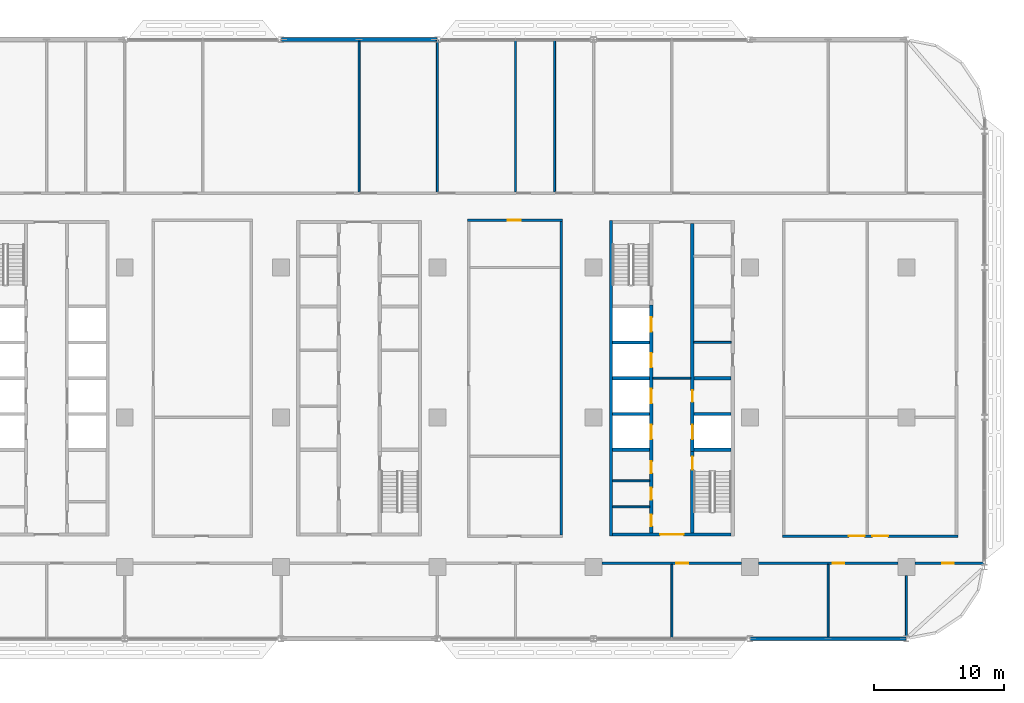
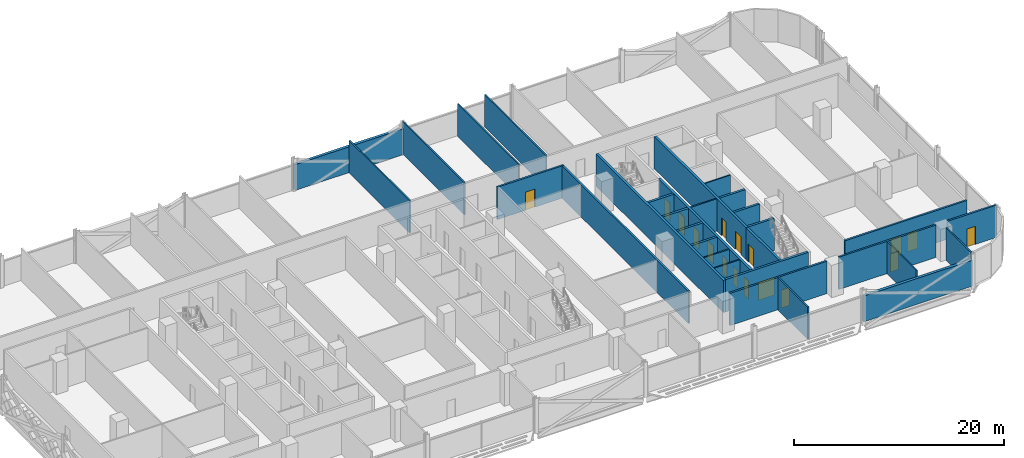
# One storey, part 17 of 29: 31 walls, 17 doors, 17 openings.
"""IFC4 building model written with IfcOpenShell, lengths in metres."""

from ifc_helpers import new_model, si_unit, direction, frame, frame_2d, origin, place, context, subcontext, project, spatial, rectangle, extrude, material, layer, layer_set, type_object, element, fill, save


model = new_model("IFC4")

# Units and contexts
model_context = context("Model", 3, precision=1e-05, world=origin(), true_north=direction((0.0, 1.0)))
body_context = subcontext(model_context, "Body", "Model", "MODEL_VIEW")
ifc_project = project(units=[si_unit("LENGTHUNIT", "METRE"), si_unit("AREAUNIT", "SQUARE_METRE"), si_unit("VOLUMEUNIT", "CUBIC_METRE"), si_unit("PLANEANGLEUNIT", "RADIAN"), si_unit("MASSUNIT", "GRAM", prefix="KILO")], contexts=[model_context])

# Site, building, storey
site_placement = place(None, origin())
site = spatial("IfcSite", under=ifc_project, at=site_placement, CompositionType="ELEMENT")
building_placement = place(site_placement, origin())
building = spatial("IfcBuilding", under=site, at=building_placement, Name="Mahtab Terrace Research Tower", CompositionType="ELEMENT")
storey_placement = place(building_placement, frame((0.0, 0.0, 126.10009765625)))
storey = spatial("IfcBuildingStorey", under=building, at=storey_placement, Name="L29", CompositionType="ELEMENT", Elevation=126.10009765625)

# Walls
ifc_material_1 = material(Name="Gypsum board partition")
ifc_layer_1 = layer(ifc_material_1, 0.14990234375)
ifc_layer_set_1 = layer_set([ifc_layer_1], Name="Core partition 150")
wall_type_1 = type_object("IfcWallType", Name="Core partition 150", PredefinedType="PARTITIONING", material=ifc_layer_set_1)
wall_1_placement = place(storey_placement, frame((22.550048828125, 3.0, 0.0), z_axis=(0.0, 0.0, 1.0), x_axis=(1.0, 0.0, 0.0)))
element("IfcWall", 1, at=wall_1_placement, inside=storey, type_object=wall_type_1, Name="Core wall C ffl", PredefinedType="PARTITIONING", context=body_context, shape_type="SweptSolid", body=[
    extrude(rectangle(XDim=2.89990234375, YDim=0.14990234375, at=frame_2d((1.449951171875, 0.0))), origin(), (0.0, 0.0, 1.0), 3.760009765625),
])
for number, where, z_axis, x_axis, name in (
    (2, (25.699951171875, 5.75, 0.0), (0.0, 0.0, 1.0), (1.0, 0.0, 0.0), "Core wall C pEL275"),
    (3, (19.449951171875, -6.875, 0.0), (0.0, 0.0, 1.0), (1.0, 0.0, 0.0), "Core wall C pWS-988"),
    (4, (19.449951171875, -4.875, 0.0), (0.0, 0.0, 1.0), (1.0, 0.0, 0.0), "Core wall C pWS-788"),
):
    element("IfcWall", number, at=place(storey_placement, frame(where, z_axis=z_axis, x_axis=x_axis)), inside=storey, type_object=wall_type_1, Name=name, PredefinedType="PARTITIONING", context=body_context, shape_type="SweptSolid", body=[
        extrude(rectangle(XDim=2.85009765625, YDim=0.14990234375, at=frame_2d((1.425048828125, 0.0))), origin(), (0.0, 0.0, 1.0), 3.760009765625),
    ])
ifc_material_2 = material(Name="Concrete C70/85", Category="concrete")
ifc_layer_2 = layer(ifc_material_2, 0.25)
ifc_layer_set_2 = layer_set([ifc_layer_2], Name="Core wall 250")
wall_type_2 = type_object("IfcWallType", Name="Core wall 250", PredefinedType="SOLIDWALL", material=ifc_layer_set_2)
wall_2_placement = place(storey_placement, frame((19.324951171875, 15.125, 0.0), z_axis=(0.0, 0.0, 1.0), x_axis=(0.0, -1.0, 0.0)))
element("IfcWall", 5, at=wall_2_placement, inside=storey, type_object=wall_type_2, Name="Core wall C outerW", PredefinedType="SOLIDWALL", context=body_context, shape_type="SweptSolid", body=[
    extrude(rectangle(XDim=24.25, YDim=0.25, at=frame_2d((12.125, 0.0))), origin(), (0.0, 0.0, 1.0), 3.760009765625),
])

# Wall, opening, door
wall_3_placement = place(storey_placement, frame((28.550048828125, -9.0, 0.0), z_axis=(0.0, 0.0, 1.0), x_axis=(-1.0, 0.0, 0.0)))
wall_3 = element("IfcWall", 6, at=wall_3_placement, inside=storey, type_object=wall_type_2, Name="Core wall C endS", PredefinedType="SOLIDWALL", context=body_context, shape_type="SweptSolid", body=[
    extrude(rectangle(XDim=9.10009765625, YDim=0.25, at=frame_2d((4.550048828125, 0.0))), origin(), (0.0, 0.0, 1.0), 3.760009765625),
])
opening_1_placement = place(wall_3_placement, frame((3.64990234375, 0.0, 0.0)))
opening_1 = element("IfcOpeningElement", 7, at=opening_1_placement, cuts=wall_3, Name="Opening C-S1", PredefinedType="OPENING", context=body_context, shape_type="SweptSolid", body=[
    extrude(rectangle(XDim=1.800048828125, YDim=2.10009765625, at=frame_2d((0.89990234375, 1.050048828125))), frame((0.0, 0.135009765625, 0.0), z_axis=(0.0, -1.0, 0.0), x_axis=(1.0, 0.0, 0.0)), (0.0, 0.0, 1.0), 0.27001953125),
])
ifc_material_3 = material(Name="Steel fire door", Category="steel")
door_type_1 = type_object("IfcDoorType", Name="Lobby double door 1800x2100 1 HR", OperationType="DOUBLE_DOOR_SINGLE_SWING", PredefinedType="DOOR", material=ifc_material_3)
door_1_placement = place(opening_1_placement, origin())
door_1 = element("IfcDoor", 8, at=door_1_placement, inside=storey, type_object=door_type_1, Name="Core entrance door C S", OperationType="DOUBLE_DOOR_SINGLE_SWING", OverallHeight=2.10009765625, OverallWidth=1.800048828125, PredefinedType="DOOR", context=body_context, shape_type="SweptSolid", body=[
    extrude(rectangle(XDim=1.800048828125, YDim=2.10009765625, at=frame_2d((0.89990234375, 1.050048828125))), frame((0.0, 0.02490234375, 0.0), z_axis=(0.0, -1.0, 0.0), x_axis=(1.0, 0.0, 0.0)), (0.0, 0.0, 1.0), 0.050048828125),
])
fill(opening_1, door_1)

# Wall, openings, doors
wall_4_placement = place(storey_placement, frame((22.425048828125, -8.875, 0.0), z_axis=(0.0, 0.0, 1.0), x_axis=(0.0, 1.0, 0.0)))
wall_4 = element("IfcWall", 9, at=wall_4_placement, inside=storey, type_object=wall_type_2, Name="Core wall C innerWSL", PredefinedType="SOLIDWALL", context=body_context, shape_type="SweptSolid", body=[
    extrude(rectangle(XDim=17.5, YDim=0.25, at=frame_2d((8.75, 0.0))), origin(), (0.0, 0.0, 1.0), 3.760009765625),
])
opening_2_placement = place(wall_4_placement, frame((7.199951171875, 0.0, 0.0)))
opening_2 = element("IfcOpeningElement", 10, at=opening_2_placement, cuts=wall_4, Name="Opening LD17-L29", PredefinedType="OPENING", context=body_context, shape_type="SweptSolid", body=[
    extrude(rectangle(XDim=1.10009765625, YDim=2.10009765625, at=frame_2d((0.550048828125, 1.050048828125))), frame((0.0, 0.135009765625, 0.0), z_axis=(0.0, -1.0, 0.0), x_axis=(1.0, 0.0, 0.0)), (0.0, 0.0, 1.0), 0.27001953125),
])
opening_3_placement = place(wall_4_placement, frame((9.949951171875, 0.0, 0.0)))
opening_3 = element("IfcOpeningElement", 11, at=opening_3_placement, cuts=wall_4, Name="Opening LD18-L29", PredefinedType="OPENING", context=body_context, shape_type="SweptSolid", body=[
    extrude(rectangle(XDim=1.10009765625, YDim=2.10009765625, at=frame_2d((0.550048828125, 1.050048828125))), frame((0.0, 0.135009765625, 0.0), z_axis=(0.0, -1.0, 0.0), x_axis=(1.0, 0.0, 0.0)), (0.0, 0.0, 1.0), 0.27001953125),
])
opening_4_placement = place(wall_4_placement, frame((12.699951171875, 0.0, 0.0)))
opening_4 = element("IfcOpeningElement", 12, at=opening_4_placement, cuts=wall_4, Name="Opening LD19-L29", PredefinedType="OPENING", context=body_context, shape_type="SweptSolid", body=[
    extrude(rectangle(XDim=1.10009765625, YDim=2.10009765625, at=frame_2d((0.550048828125, 1.050048828125))), frame((0.0, 0.135009765625, 0.0), z_axis=(0.0, -1.0, 0.0), x_axis=(1.0, 0.0, 0.0)), (0.0, 0.0, 1.0), 0.27001953125),
])
opening_5_placement = place(wall_4_placement, frame((15.449951171875, 0.0, 0.0)))
opening_5 = element("IfcOpeningElement", 13, at=opening_5_placement, cuts=wall_4, Name="Opening LD20-L29", PredefinedType="OPENING", context=body_context, shape_type="SweptSolid", body=[
    extrude(rectangle(XDim=1.10009765625, YDim=2.10009765625, at=frame_2d((0.550048828125, 1.050048828125))), frame((0.0, 0.135009765625, 0.0), z_axis=(0.0, -1.0, 0.0), x_axis=(1.0, 0.0, 0.0)), (0.0, 0.0, 1.0), 0.27001953125),
])
opening_6_placement = place(wall_4_placement, frame((0.512451171875, 0.0, 0.0)))
opening_6 = element("IfcOpeningElement", 14, at=opening_6_placement, cuts=wall_4, Name="Opening C-R4", PredefinedType="OPENING", context=body_context, shape_type="SweptSolid", body=[
    extrude(rectangle(XDim=0.89990234375, YDim=2.10009765625, at=frame_2d((0.449951171875, 1.050048828125))), frame((0.0, 0.135009765625, 0.0), z_axis=(0.0, -1.0, 0.0), x_axis=(1.0, 0.0, 0.0)), (0.0, 0.0, 1.0), 0.27001953125),
])
opening_7_placement = place(wall_4_placement, frame((2.550048828125, 0.0, 0.0)))
opening_7 = element("IfcOpeningElement", 15, at=opening_7_placement, cuts=wall_4, Name="Opening C-R5", PredefinedType="OPENING", context=body_context, shape_type="SweptSolid", body=[
    extrude(rectangle(XDim=0.89990234375, YDim=2.10009765625, at=frame_2d((0.449951171875, 1.050048828125))), frame((0.0, 0.135009765625, 0.0), z_axis=(0.0, -1.0, 0.0), x_axis=(1.0, 0.0, 0.0)), (0.0, 0.0, 1.0), 0.27001953125),
])
opening_8_placement = place(wall_4_placement, frame((4.58740234375, 0.0, 0.0)))
opening_8 = element("IfcOpeningElement", 16, at=opening_8_placement, cuts=wall_4, Name="Opening C-R6", PredefinedType="OPENING", context=body_context, shape_type="SweptSolid", body=[
    extrude(rectangle(XDim=0.89990234375, YDim=2.10009765625, at=frame_2d((0.449951171875, 1.050048828125))), frame((0.0, 0.135009765625, 0.0), z_axis=(0.0, -1.0, 0.0), x_axis=(1.0, 0.0, 0.0)), (0.0, 0.0, 1.0), 0.27001953125),
])
ifc_material_4 = material(Name="Stainless steel AISI 304", Category="steel")
door_type_2 = type_object("IfcDoorType", Name="Landing door 1100x2100", OperationType="DOUBLE_DOOR_SLIDING", PredefinedType="DOOR", material=ifc_material_4)
door_2_placement = place(opening_2_placement, origin())
door_2 = element("IfcDoor", 17, at=door_2_placement, inside=storey, type_object=door_type_2, Name="Landing door SV1 L29", OperationType="DOUBLE_DOOR_SLIDING", OverallHeight=2.10009765625, OverallWidth=1.10009765625, PredefinedType="DOOR", context=body_context, shape_type="SweptSolid", body=[
    extrude(rectangle(XDim=1.10009765625, YDim=2.10009765625, at=frame_2d((0.550048828125, 1.050048828125))), frame((0.0, 0.02490234375, 0.0), z_axis=(0.0, -1.0, 0.0), x_axis=(1.0, 0.0, 0.0)), (0.0, 0.0, 1.0), 0.050048828125),
])
fill(opening_2, door_2)
door_3_placement = place(opening_3_placement, origin())
door_3 = element("IfcDoor", 18, at=door_3_placement, inside=storey, type_object=door_type_2, Name="Landing door SV2 L29", OperationType="DOUBLE_DOOR_SLIDING", OverallHeight=2.10009765625, OverallWidth=1.10009765625, PredefinedType="DOOR", context=body_context, shape_type="SweptSolid", body=[
    extrude(rectangle(XDim=1.10009765625, YDim=2.10009765625, at=frame_2d((0.550048828125, 1.050048828125))), frame((0.0, 0.02490234375, 0.0), z_axis=(0.0, -1.0, 0.0), x_axis=(1.0, 0.0, 0.0)), (0.0, 0.0, 1.0), 0.050048828125),
])
fill(opening_3, door_3)
door_4_placement = place(opening_4_placement, origin())
door_4 = element("IfcDoor", 19, at=door_4_placement, inside=storey, type_object=door_type_2, Name="Landing door FF1 L29", OperationType="DOUBLE_DOOR_SLIDING", OverallHeight=2.10009765625, OverallWidth=1.10009765625, PredefinedType="DOOR", context=body_context, shape_type="SweptSolid", body=[
    extrude(rectangle(XDim=1.10009765625, YDim=2.10009765625, at=frame_2d((0.550048828125, 1.050048828125))), frame((0.0, 0.02490234375, 0.0), z_axis=(0.0, -1.0, 0.0), x_axis=(1.0, 0.0, 0.0)), (0.0, 0.0, 1.0), 0.050048828125),
])
fill(opening_4, door_4)
door_5_placement = place(opening_5_placement, origin())
door_5 = element("IfcDoor", 20, at=door_5_placement, inside=storey, type_object=door_type_2, Name="Landing door FF2 L29", OperationType="DOUBLE_DOOR_SLIDING", OverallHeight=2.10009765625, OverallWidth=1.10009765625, PredefinedType="DOOR", context=body_context, shape_type="SweptSolid", body=[
    extrude(rectangle(XDim=1.10009765625, YDim=2.10009765625, at=frame_2d((0.550048828125, 1.050048828125))), frame((0.0, 0.02490234375, 0.0), z_axis=(0.0, -1.0, 0.0), x_axis=(1.0, 0.0, 0.0)), (0.0, 0.0, 1.0), 0.050048828125),
])
fill(opening_5, door_5)
door_type_3 = type_object("IfcDoorType", Name="Room door 900x2100 1 HR", OperationType="NOTDEFINED", PredefinedType="DOOR", material=ifc_material_3)
door_6_placement = place(opening_6_placement, origin())
door_6 = element("IfcDoor", 21, at=door_6_placement, inside=storey, type_object=door_type_3, Name="Male WC door", OperationType="SINGLE_SWING_RIGHT", OverallHeight=2.10009765625, OverallWidth=0.89990234375, PredefinedType="DOOR", context=body_context, shape_type="SweptSolid", body=[
    extrude(rectangle(XDim=0.89990234375, YDim=2.10009765625, at=frame_2d((0.449951171875, 1.050048828125))), frame((0.0, 0.02490234375, 0.0), z_axis=(0.0, -1.0, 0.0), x_axis=(1.0, 0.0, 0.0)), (0.0, 0.0, 1.0), 0.050048828125),
])
fill(opening_6, door_6)
door_7_placement = place(opening_7_placement, origin())
door_7 = element("IfcDoor", 22, at=door_7_placement, inside=storey, type_object=door_type_3, Name="Female WC door", OperationType="SINGLE_SWING_LEFT", OverallHeight=2.10009765625, OverallWidth=0.89990234375, PredefinedType="DOOR", context=body_context, shape_type="SweptSolid", body=[
    extrude(rectangle(XDim=0.89990234375, YDim=2.10009765625, at=frame_2d((0.449951171875, 1.050048828125))), frame((0.0, 0.02490234375, 0.0), z_axis=(0.0, -1.0, 0.0), x_axis=(1.0, 0.0, 0.0)), (0.0, 0.0, 1.0), 0.050048828125),
])
fill(opening_7, door_7)
door_8_placement = place(opening_8_placement, origin())
door_8 = element("IfcDoor", 23, at=door_8_placement, inside=storey, type_object=door_type_3, Name="Accessible WC door", OperationType="SINGLE_SWING_RIGHT", OverallHeight=2.10009765625, OverallWidth=0.89990234375, PredefinedType="DOOR", context=body_context, shape_type="SweptSolid", body=[
    extrude(rectangle(XDim=0.89990234375, YDim=2.10009765625, at=frame_2d((0.449951171875, 1.050048828125))), frame((0.0, 0.02490234375, 0.0), z_axis=(0.0, -1.0, 0.0), x_axis=(1.0, 0.0, 0.0)), (0.0, 0.0, 1.0), 0.050048828125),
])
fill(opening_8, door_8)

# Wall, opening, door
wall_5_placement = place(storey_placement, frame((25.574951171875, -8.875, 0.0), z_axis=(0.0, 0.0, 1.0), x_axis=(0.0, 1.0, 0.0)))
wall_5 = element("IfcWall", 24, at=wall_5_placement, inside=storey, type_object=wall_type_2, Name="Core wall C innerES", PredefinedType="SOLIDWALL", context=body_context, shape_type="SweptSolid", body=[
    extrude(rectangle(XDim=6.25, YDim=0.25, at=frame_2d((3.125, 0.0))), origin(), (0.0, 0.0, 1.0), 3.760009765625),
])
opening_9_placement = place(wall_5_placement, frame((4.85009765625, 0.0, 0.0)))
opening_9 = element("IfcOpeningElement", 25, at=opening_9_placement, cuts=wall_5, Name="Opening C-ST4", PredefinedType="OPENING", context=body_context, shape_type="SweptSolid", body=[
    extrude(rectangle(XDim=1.0, YDim=2.10009765625, at=frame_2d((0.5, 1.050048828125))), frame((0.0, 0.135009765625, 0.0), z_axis=(0.0, -1.0, 0.0), x_axis=(1.0, 0.0, 0.0)), (0.0, 0.0, 1.0), 0.27001953125),
])
door_type_4 = type_object("IfcDoorType", Name="Stair door 1000x2100 1.5 HR", OperationType="NOTDEFINED", PredefinedType="DOOR", material=ifc_material_3)
door_9_placement = place(opening_9_placement, origin())
door_9 = element("IfcDoor", 26, at=door_9_placement, inside=storey, type_object=door_type_4, Name="Stair door ST4 L29", OperationType="SINGLE_SWING_RIGHT", OverallHeight=2.10009765625, OverallWidth=1.0, PredefinedType="DOOR", context=body_context, shape_type="SweptSolid", body=[
    extrude(rectangle(XDim=1.0, YDim=2.10009765625, at=frame_2d((0.5, 1.050048828125))), frame((0.0, 0.02490234375, 0.0), z_axis=(0.0, -1.0, 0.0), x_axis=(1.0, 0.0, 0.0)), (0.0, 0.0, 1.0), 0.050048828125),
])
fill(opening_9, door_9)

# Wall, openings, doors
wall_6_placement = place(storey_placement, frame((25.574951171875, 14.875, 0.0), z_axis=(0.0, 0.0, 1.0), x_axis=(0.0, -1.0, 0.0)))
wall_6 = element("IfcWall", 27, at=wall_6_placement, inside=storey, type_object=wall_type_2, Name="Core wall C innerELN", PredefinedType="SOLIDWALL", context=body_context, shape_type="SweptSolid", body=[
    extrude(rectangle(XDim=17.5, YDim=0.25, at=frame_2d((8.75, 0.0))), origin(), (0.0, 0.0, 1.0), 3.760009765625),
])
opening_10_placement = place(wall_6_placement, frame((15.449951171875, 0.0, 0.0)))
opening_10 = element("IfcOpeningElement", 28, at=opening_10_placement, cuts=wall_6, Name="Opening LD21-L29", PredefinedType="OPENING", context=body_context, shape_type="SweptSolid", body=[
    extrude(rectangle(XDim=1.10009765625, YDim=2.10009765625, at=frame_2d((0.550048828125, 1.050048828125))), frame((0.0, 0.135009765625, 0.0), z_axis=(0.0, -1.0, 0.0), x_axis=(1.0, 0.0, 0.0)), (0.0, 0.0, 1.0), 0.27001953125),
])
opening_11_placement = place(wall_6_placement, frame((12.800048828125, 0.0, 0.0)))
opening_11 = element("IfcOpeningElement", 29, at=opening_11_placement, cuts=wall_6, Name="Opening C-R1", PredefinedType="OPENING", context=body_context, shape_type="SweptSolid", body=[
    extrude(rectangle(XDim=0.89990234375, YDim=2.10009765625, at=frame_2d((0.449951171875, 1.050048828125))), frame((0.0, 0.135009765625, 0.0), z_axis=(0.0, -1.0, 0.0), x_axis=(1.0, 0.0, 0.0)), (0.0, 0.0, 1.0), 0.27001953125),
])
door_10_placement = place(opening_10_placement, origin())
door_10 = element("IfcDoor", 30, at=door_10_placement, inside=storey, type_object=door_type_2, Name="Landing door SV3 L29", OperationType="DOUBLE_DOOR_SLIDING", OverallHeight=2.10009765625, OverallWidth=1.10009765625, PredefinedType="DOOR", context=body_context, shape_type="SweptSolid", body=[
    extrude(rectangle(XDim=1.10009765625, YDim=2.10009765625, at=frame_2d((0.550048828125, 1.050048828125))), frame((0.0, 0.02490234375, 0.0), z_axis=(0.0, -1.0, 0.0), x_axis=(1.0, 0.0, 0.0)), (0.0, 0.0, 1.0), 0.050048828125),
])
fill(opening_10, door_10)
door_11_placement = place(opening_11_placement, origin())
door_11 = element("IfcDoor", 31, at=door_11_placement, inside=storey, type_object=door_type_3, Name="Plant room door", OperationType="SINGLE_SWING_LEFT", OverallHeight=2.10009765625, OverallWidth=0.89990234375, PredefinedType="DOOR", context=body_context, shape_type="SweptSolid", body=[
    extrude(rectangle(XDim=0.89990234375, YDim=2.10009765625, at=frame_2d((0.449951171875, 1.050048828125))), frame((0.0, 0.02490234375, 0.0), z_axis=(0.0, -1.0, 0.0), x_axis=(1.0, 0.0, 0.0)), (0.0, 0.0, 1.0), 0.050048828125),
])
fill(opening_11, door_11)

# Walls
for number, where, z_axis, x_axis, name in (
    (32, (19.449951171875, -2.5, 0.0), (0.0, 0.0, 1.0), (1.0, 0.0, 0.0), "Core wall C divW0"),
    (33, (19.449951171875, 0.25, 0.0), (0.0, 0.0, 1.0), (1.0, 0.0, 0.0), "Core wall C divW1"),
    (34, (19.449951171875, 3.0, 0.0), (0.0, 0.0, 1.0), (1.0, 0.0, 0.0), "Core wall C divW2"),
    (35, (19.449951171875, 5.75, 0.0), (0.0, 0.0, 1.0), (1.0, 0.0, 0.0), "Core wall C divW3"),
    (36, (25.699951171875, -2.5, 0.0), (0.0, 0.0, 1.0), (1.0, 0.0, 0.0), "Core wall C divE0"),
    (37, (25.699951171875, 0.25, 0.0), (0.0, 0.0, 1.0), (1.0, 0.0, 0.0), "Core wall C divE1"),
    (38, (25.699951171875, 3.0, 0.0), (0.0, 0.0, 1.0), (1.0, 0.0, 0.0), "Core wall C divE2"),
):
    element("IfcWall", number, at=place(storey_placement, frame(where, z_axis=z_axis, x_axis=x_axis)), inside=storey, type_object=wall_type_2, Name=name, PredefinedType="SOLIDWALL", context=body_context, shape_type="SweptSolid", body=[
        extrude(rectangle(XDim=2.85009765625, YDim=0.25, at=frame_2d((1.425048828125, 0.0))), origin(), (0.0, 0.0, 1.0), 3.760009765625),
    ])
ifc_material_5 = material(Name="Black aluminium cladding panel", Category="aluminium")
ifc_layer_3 = layer(ifc_material_5, 0.300048828125)
ifc_layer_set_3 = layer_set([ifc_layer_3], Name="Opaque facade wall 300")
wall_type_3 = type_object("IfcWallType", Name="Opaque facade wall 300", PredefinedType="NOTDEFINED", material=ifc_layer_set_3)
for number, where, z_axis, x_axis, name in (
    (39, (5.982177734375, 29.0, 0.0), (0.0, 0.0, 1.0), (-1.0, 0.0, 0.0), "Opaque facade wall L29 N6"),
    (40, (30.017822265625, -17.0, 0.0), (0.0, 0.0, 1.0), (1.0, 0.0, 0.0), "Opaque facade wall L29 S30"),
):
    element("IfcWall", number, at=place(storey_placement, frame(where, z_axis=z_axis, x_axis=x_axis)), inside=storey, type_object=wall_type_3, Name=name, PredefinedType="NOTDEFINED", context=body_context, shape_type="SweptSolid", body=[
        extrude(rectangle(XDim=11.96435546875, YDim=0.300048828125, at=frame_2d((5.982177734375, 0.0))), origin(), (0.0, 0.0, 1.0), 3.0029296875),
    ])

# Wall, opening, door
ifc_material_6 = material(Name="Gypsum board corridor wall on steel studs", Category="steel")
ifc_layer_4 = layer(ifc_material_6, 0.199951171875)
ifc_layer_set_4 = layer_set([ifc_layer_4], Name="WALL CORRIDOR 200")
wall_type_4 = type_object("IfcWallType", Name="WALL CORRIDOR 200", PredefinedType="PARTITIONING", material=ifc_layer_set_4)
wall_7_placement = place(storey_placement, frame((18.64990234375, -11.199951171875, 0.0), z_axis=(0.0, 0.0, 1.0), x_axis=(1.0, 0.0, 0.0)))
wall_7 = element("IfcWall", 41, at=wall_7_placement, inside=storey, type_object=wall_type_4, Name="L29-W007", PredefinedType="PARTITIONING", context=body_context, shape_type="SweptSolid", body=[
    extrude(rectangle(XDim=10.7001953125, YDim=0.199951171875, at=frame_2d((5.35009765625, 0.0))), origin(), (0.0, 0.0, 1.0), 3.760009765625),
])
opening_12_placement = place(wall_7_placement, frame((5.699951171875, 0.0, 0.0)))
opening_12 = element("IfcOpeningElement", 42, at=opening_12_placement, cuts=wall_7, Name="Opening L29-108", PredefinedType="OPENING", context=body_context, shape_type="SweptSolid", body=[
    extrude(rectangle(XDim=0.89990234375, YDim=2.10009765625, at=frame_2d((0.449951171875, 1.050048828125))), frame((0.0, 0.10986328125, 0.0), z_axis=(0.0, -1.0, 0.0), x_axis=(1.0, 0.0, 0.0)), (0.0, 0.0, 1.0), 0.219970703125),
])
ifc_material_7 = material(Name="Timber door leaf in steel frame", Category="steel")
door_type_5 = type_object("IfcDoorType", Name="DOOR 0900X2100 FD30S", OperationType="SINGLE_SWING_LEFT", PredefinedType="DOOR", material=ifc_material_7)
door_12_placement = place(opening_12_placement, origin())
door_12 = element("IfcDoor", 43, at=door_12_placement, inside=storey, type_object=door_type_5, Name="Door L29-108", OperationType="SINGLE_SWING_LEFT", OverallHeight=2.10009765625, OverallWidth=0.89990234375, PredefinedType="DOOR", context=body_context, shape_type="SweptSolid", body=[
    extrude(rectangle(XDim=0.89990234375, YDim=2.10009765625, at=frame_2d((0.449951171875, 1.050048828125))), frame((0.0, 0.02490234375, 0.0), z_axis=(0.0, -1.0, 0.0), x_axis=(1.0, 0.0, 0.0)), (0.0, 0.0, 1.0), 0.050048828125),
])
fill(opening_12, door_12)

wall_8_placement = place(storey_placement, frame((30.64990234375, -11.199951171875, 0.0), z_axis=(0.0, 0.0, 1.0), x_axis=(1.0, 0.0, 0.0)))
wall_8 = element("IfcWall", 44, at=wall_8_placement, inside=storey, type_object=wall_type_4, Name="L29-W008", PredefinedType="PARTITIONING", context=body_context, shape_type="SweptSolid", body=[
    extrude(rectangle(XDim=10.7001953125, YDim=0.199951171875, at=frame_2d((5.35009765625, 0.0))), origin(), (0.0, 0.0, 1.0), 3.760009765625),
])
opening_13_placement = place(wall_8_placement, frame((5.699951171875, 0.0, 0.0)))
opening_13 = element("IfcOpeningElement", 45, at=opening_13_placement, cuts=wall_8, Name="Opening L29-109", PredefinedType="OPENING", context=body_context, shape_type="SweptSolid", body=[
    extrude(rectangle(XDim=0.89990234375, YDim=2.10009765625, at=frame_2d((0.449951171875, 1.050048828125))), frame((0.0, 0.10986328125, 0.0), z_axis=(0.0, -1.0, 0.0), x_axis=(1.0, 0.0, 0.0)), (0.0, 0.0, 1.0), 0.219970703125),
])
door_13_placement = place(opening_13_placement, origin())
door_13 = element("IfcDoor", 46, at=door_13_placement, inside=storey, type_object=door_type_5, Name="Door L29-109", OperationType="SINGLE_SWING_LEFT", OverallHeight=2.10009765625, OverallWidth=0.89990234375, PredefinedType="DOOR", context=body_context, shape_type="SweptSolid", body=[
    extrude(rectangle(XDim=0.89990234375, YDim=2.10009765625, at=frame_2d((0.449951171875, 1.050048828125))), frame((0.0, 0.02490234375, 0.0), z_axis=(0.0, -1.0, 0.0), x_axis=(1.0, 0.0, 0.0)), (0.0, 0.0, 1.0), 0.050048828125),
])
fill(opening_13, door_13)

wall_9_placement = place(storey_placement, frame((42.64990234375, -11.199951171875, 0.0), z_axis=(0.0, 0.0, 1.0), x_axis=(1.0, 0.0, 0.0)))
wall_9 = element("IfcWall", 47, at=wall_9_placement, inside=storey, type_object=wall_type_4, Name="L29-W009", PredefinedType="PARTITIONING", context=body_context, shape_type="SweptSolid", body=[
    extrude(rectangle(XDim=5.3251953125, YDim=0.199951171875, at=frame_2d((2.66259765625, 0.0))), origin(), (0.0, 0.0, 1.0), 3.760009765625),
])
opening_14_placement = place(wall_9_placement, frame((2.10009765625, 0.0, 0.0)))
opening_14 = element("IfcOpeningElement", 48, at=opening_14_placement, cuts=wall_9, Name="Opening L29-110", PredefinedType="OPENING", context=body_context, shape_type="SweptSolid", body=[
    extrude(rectangle(XDim=0.89990234375, YDim=2.10009765625, at=frame_2d((0.449951171875, 1.050048828125))), frame((0.0, 0.10986328125, 0.0), z_axis=(0.0, -1.0, 0.0), x_axis=(1.0, 0.0, 0.0)), (0.0, 0.0, 1.0), 0.219970703125),
])
door_14_placement = place(opening_14_placement, origin())
door_14 = element("IfcDoor", 49, at=door_14_placement, inside=storey, type_object=door_type_5, Name="Door L29-110", OperationType="SINGLE_SWING_RIGHT", OverallHeight=2.10009765625, OverallWidth=0.89990234375, PredefinedType="DOOR", context=body_context, shape_type="SweptSolid", body=[
    extrude(rectangle(XDim=0.89990234375, YDim=2.10009765625, at=frame_2d((0.449951171875, 1.050048828125))), frame((0.0, 0.02490234375, 0.0), z_axis=(0.0, -1.0, 0.0), x_axis=(1.0, 0.0, 0.0)), (0.0, 0.0, 1.0), 0.050048828125),
])
fill(opening_14, door_14)

# Wall, openings, doors
wall_10_placement = place(storey_placement, frame((32.5, -9.125, 0.0), z_axis=(0.0, 0.0, 1.0), x_axis=(1.0, 0.0, 0.0)))
wall_10 = element("IfcWall", 50, at=wall_10_placement, inside=storey, type_object=wall_type_4, Name="L29-W013", PredefinedType="PARTITIONING", context=body_context, shape_type="SweptSolid", body=[
    extrude(rectangle(XDim=13.449951171875, YDim=0.199951171875, at=frame_2d((6.72509765625, 0.0))), origin(), (0.0, 0.0, 1.0), 3.760009765625),
])
opening_15_placement = place(wall_10_placement, frame((5.10009765625, 0.0, 0.0)))
opening_15 = element("IfcOpeningElement", 51, at=opening_15_placement, cuts=wall_10, Name="Opening L29-115", PredefinedType="OPENING", context=body_context, shape_type="SweptSolid", body=[
    extrude(rectangle(XDim=1.199951171875, YDim=2.10009765625, at=frame_2d((0.60009765625, 1.050048828125))), frame((0.0, 0.10986328125, 0.0), z_axis=(0.0, -1.0, 0.0), x_axis=(1.0, 0.0, 0.0)), (0.0, 0.0, 1.0), 0.219970703125),
])
opening_16_placement = place(wall_10_placement, frame((6.89990234375, 0.0, 0.0)))
opening_16 = element("IfcOpeningElement", 52, at=opening_16_placement, cuts=wall_10, Name="Opening L29-116", PredefinedType="OPENING", context=body_context, shape_type="SweptSolid", body=[
    extrude(rectangle(XDim=1.199951171875, YDim=2.10009765625, at=frame_2d((0.60009765625, 1.050048828125))), frame((0.0, 0.10986328125, 0.0), z_axis=(0.0, -1.0, 0.0), x_axis=(1.0, 0.0, 0.0)), (0.0, 0.0, 1.0), 0.219970703125),
])
door_type_6 = type_object("IfcDoorType", Name="DOOR 1200X2100 FD30S", OperationType="SINGLE_SWING_LEFT", PredefinedType="DOOR", material=ifc_material_7)
door_15_placement = place(opening_15_placement, origin())
door_15 = element("IfcDoor", 53, at=door_15_placement, inside=storey, type_object=door_type_6, Name="Door L29-115", OperationType="SINGLE_SWING_LEFT", OverallHeight=2.10009765625, OverallWidth=1.199951171875, PredefinedType="DOOR", context=body_context, shape_type="SweptSolid", body=[
    extrude(rectangle(XDim=1.199951171875, YDim=2.10009765625, at=frame_2d((0.60009765625, 1.050048828125))), frame((0.0, 0.02490234375, 0.0), z_axis=(0.0, -1.0, 0.0), x_axis=(1.0, 0.0, 0.0)), (0.0, 0.0, 1.0), 0.050048828125),
])
fill(opening_15, door_15)
door_16_placement = place(opening_16_placement, origin())
door_16 = element("IfcDoor", 54, at=door_16_placement, inside=storey, type_object=door_type_6, Name="Door L29-116", OperationType="SINGLE_SWING_RIGHT", OverallHeight=2.10009765625, OverallWidth=1.199951171875, PredefinedType="DOOR", context=body_context, shape_type="SweptSolid", body=[
    extrude(rectangle(XDim=1.199951171875, YDim=2.10009765625, at=frame_2d((0.60009765625, 1.050048828125))), frame((0.0, 0.02490234375, 0.0), z_axis=(0.0, -1.0, 0.0), x_axis=(1.0, 0.0, 0.0)), (0.0, 0.0, 1.0), 0.050048828125),
])
fill(opening_16, door_16)

# Wall, opening, door
wall_11_placement = place(storey_placement, frame((8.300048828125, 15.125, 0.0), z_axis=(0.0, 0.0, 1.0), x_axis=(1.0, 0.0, 0.0)))
wall_11 = element("IfcWall", 55, at=wall_11_placement, inside=storey, type_object=wall_type_4, Name="L29-W024", PredefinedType="PARTITIONING", context=body_context, shape_type="SweptSolid", body=[
    extrude(rectangle(XDim=7.300048828125, YDim=0.199951171875, at=frame_2d((3.64990234375, 0.0))), origin(), (0.0, 0.0, 1.0), 3.760009765625),
])
opening_17_placement = place(wall_11_placement, frame((3.10009765625, 0.0, 0.0)))
opening_17 = element("IfcOpeningElement", 56, at=opening_17_placement, cuts=wall_11, Name="Opening L29-125", PredefinedType="OPENING", context=body_context, shape_type="SweptSolid", body=[
    extrude(rectangle(XDim=1.0, YDim=2.10009765625, at=frame_2d((0.5, 1.050048828125))), frame((0.0, 0.10986328125, 0.0), z_axis=(0.0, -1.0, 0.0), x_axis=(1.0, 0.0, 0.0)), (0.0, 0.0, 1.0), 0.219970703125),
])
door_type_7 = type_object("IfcDoorType", Name="DOOR 1000X2100 FD30S", OperationType="SINGLE_SWING_LEFT", PredefinedType="DOOR", material=ifc_material_7)
door_17_placement = place(opening_17_placement, origin())
door_17 = element("IfcDoor", 57, at=door_17_placement, inside=storey, type_object=door_type_7, Name="Door L29-125", OperationType="SINGLE_SWING_RIGHT", OverallHeight=2.10009765625, OverallWidth=1.0, PredefinedType="DOOR", context=body_context, shape_type="SweptSolid", body=[
    extrude(rectangle(XDim=1.0, YDim=2.10009765625, at=frame_2d((0.5, 1.050048828125))), frame((0.0, 0.02490234375, 0.0), z_axis=(0.0, -1.0, 0.0), x_axis=(1.0, 0.0, 0.0)), (0.0, 0.0, 1.0), 0.050048828125),
])
fill(opening_17, door_17)

# Walls
wall_12_placement = place(storey_placement, frame((15.5, -9.02490234375, 0.0), z_axis=(0.0, 0.0, 1.0), x_axis=(0.0, 1.0, 0.0)))
element("IfcWall", 58, at=wall_12_placement, inside=storey, type_object=wall_type_4, Name="L29-W049", PredefinedType="PARTITIONING", context=body_context, shape_type="SweptSolid", body=[
    extrude(rectangle(XDim=24.0498046875, YDim=0.199951171875, at=frame_2d((12.02490234375, 0.0))), origin(), (0.0, 0.0, 1.0), 3.760009765625),
])
ifc_material_8 = material(Name="Gypsum board partition on steel studs", Category="steel")
ifc_layer_5 = layer(ifc_material_8, 0.14990234375)
ifc_layer_set_5 = layer_set([ifc_layer_5], Name="WALL PARTITION 150")
wall_type_5 = type_object("IfcWallType", Name="WALL PARTITION 150", PredefinedType="PARTITIONING", material=ifc_layer_set_5)
wall_13_placement = place(storey_placement, frame((0.0, 17.300048828125, 0.0), z_axis=(0.0, 0.0, 1.0), x_axis=(0.0, 1.0, 0.0)))
element("IfcWall", 59, at=wall_13_placement, inside=storey, type_object=wall_type_5, Name="L29-W042", PredefinedType="PARTITIONING", context=body_context, shape_type="SweptSolid", body=[
    extrude(rectangle(XDim=11.550048828125, YDim=0.14990234375, at=frame_2d((5.77490234375, 0.0))), origin(), (0.0, 0.0, 1.0), 3.760009765625),
])
for number, where, z_axis, x_axis, name in (
    (60, (6.0, 17.300048828125, 0.0), (0.0, 0.0, 1.0), (0.0, 1.0, 0.0), "L29-W044"),
    (61, (12.0, 17.300048828125, 0.0), (0.0, 0.0, 1.0), (0.0, 1.0, 0.0), "L29-W047"),
    (62, (15.0, 17.300048828125, 0.0), (0.0, 0.0, 1.0), (0.0, 1.0, 0.0), "L29-W048"),
):
    element("IfcWall", number, at=place(storey_placement, frame(where, z_axis=z_axis, x_axis=x_axis)), inside=storey, type_object=wall_type_5, Name=name, PredefinedType="PARTITIONING", context=body_context, shape_type="SweptSolid", body=[
        extrude(rectangle(XDim=11.675048828125, YDim=0.14990234375, at=frame_2d((5.83740234375, 0.0))), origin(), (0.0, 0.0, 1.0), 3.760009765625),
    ])
wall_14_placement = place(storey_placement, frame((24.0, -16.97509765625, 0.0), z_axis=(0.0, 0.0, 1.0), x_axis=(0.0, 1.0, 0.0)))
element("IfcWall", 63, at=wall_14_placement, inside=storey, type_object=wall_type_5, Name="L29-W051", PredefinedType="PARTITIONING", context=body_context, shape_type="SweptSolid", body=[
    extrude(rectangle(XDim=5.675048828125, YDim=0.14990234375, at=frame_2d((2.83740234375, 0.0))), origin(), (0.0, 0.0, 1.0), 3.760009765625),
])
wall_15_placement = place(storey_placement, frame((36.0, -16.85009765625, 0.0), z_axis=(0.0, 0.0, 1.0), x_axis=(0.0, 1.0, 0.0)))
element("IfcWall", 64, at=wall_15_placement, inside=storey, type_object=wall_type_5, Name="L29-W054", PredefinedType="PARTITIONING", context=body_context, shape_type="SweptSolid", body=[
    extrude(rectangle(XDim=5.550048828125, YDim=0.14990234375, at=frame_2d((2.77490234375, 0.0))), origin(), (0.0, 0.0, 1.0), 3.760009765625),
])
wall_16_placement = place(storey_placement, frame((42.0, -16.84716796875, 0.0), z_axis=(0.0, 0.0, 1.0), x_axis=(0.0, 1.0, 0.0)))
element("IfcWall", 65, at=wall_16_placement, inside=storey, type_object=wall_type_5, Name="L29-W057", PredefinedType="PARTITIONING", context=body_context, shape_type="SweptSolid", body=[
    extrude(rectangle(XDim=4.697265625, YDim=0.14990234375, at=frame_2d((2.3486328125, 0.0))), origin(), (0.0, 0.0, 1.0), 3.760009765625),
])

save(model, "model.ifc")
